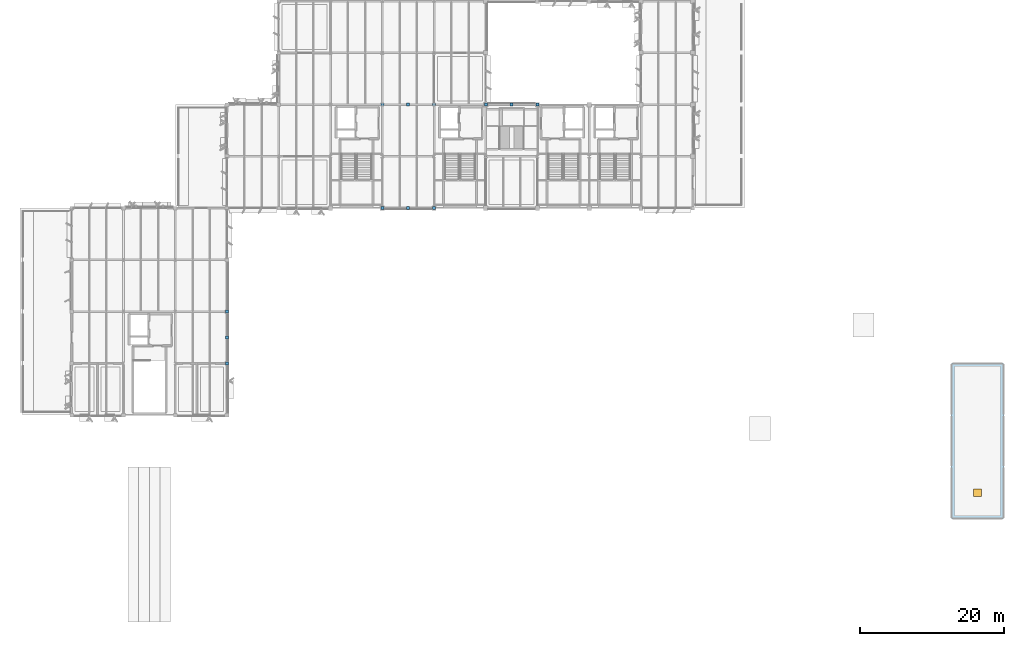
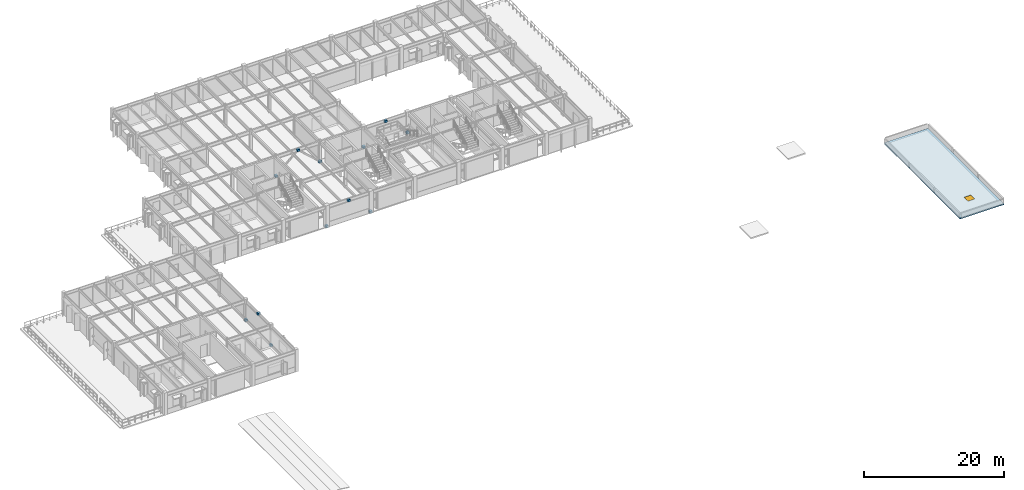
# One storey, part 11 of 35: 12 plates, 1 door, 1 slab, 1 opening.
"""IFC4 building model written with IfcOpenShell, lengths in metres."""

from ifc_helpers import new_model, si_unit, direction, frame, origin, origin_2d, place, context, subcontext, project, spatial, polyline, rectangle, outline, extrude, material, layer, layer_set, type_object, element, fill, save


model = new_model("IFC4")

# Units and contexts
model_context = context("Model", 3, precision=1e-05, world=origin(), true_north=direction((0.0, 1.0)))
body_context = subcontext(model_context, "Body", "Model", "MODEL_VIEW")
ifc_project = project(units=[si_unit("LENGTHUNIT", "METRE"), si_unit("AREAUNIT", "SQUARE_METRE"), si_unit("VOLUMEUNIT", "CUBIC_METRE"), si_unit("PLANEANGLEUNIT", "RADIAN"), si_unit("MASSUNIT", "GRAM", prefix="KILO")], contexts=[model_context])

# Site, building, storey
site_placement = place(None, origin())
site = spatial("IfcSite", under=ifc_project, at=site_placement, CompositionType="ELEMENT")
building_placement = place(site_placement, origin())
building = spatial("IfcBuilding", under=site, at=building_placement, Name="Sillqori Civic Hall", CompositionType="ELEMENT")
storey_placement = place(building_placement, frame((0.0, 0.0, 18.0)))
storey = spatial("IfcBuildingStorey", under=building, at=storey_placement, Name="L05", CompositionType="ELEMENT", Elevation=18.0)

# Plates
ifc_material_1 = material(Name="Steel ASTM A36", Category="steel")
plate_type = type_object("IfcPlateType", Name="PLT-GUSSET-20", PredefinedType="SHEET", material=ifc_material_1)
for number, where, z_axis, x_axis, name in (
    (1, (61.199951171875, 79.199951171875, 3.2197265625), (0.0, 0.0, 1.0), (1.0, 0.0, 0.0), "L05 chevron brace node plate APX"),
    (2, (57.60009765625, 79.199951171875, -0.0302734375), (0.0, 0.0, 1.0), (1.0, 0.0, 0.0), "L05 chevron brace node plate BSL"),
    (3, (64.800048828125, 79.199951171875, -0.0302734375), (0.0, 0.0, 1.0), (1.0, 0.0, 0.0), "L05 chevron brace node plate BSR"),
    (4, (61.199951171875, 93.60009765625, 3.2197265625), (0.0, 0.0, 1.0), (1.0, 0.0, 0.0), "L05 chevron brace node plate APX"),
    (5, (57.60009765625, 93.60009765625, -0.0302734375), (0.0, 0.0, 1.0), (1.0, 0.0, 0.0), "L05 chevron brace node plate BSL"),
    (6, (64.800048828125, 93.60009765625, -0.0302734375), (0.0, 0.0, 1.0), (1.0, 0.0, 0.0), "L05 chevron brace node plate BSR"),
    (7, (75.60009765625, 93.60009765625, 3.2197265625), (0.0, 0.0, 1.0), (1.0, 0.0, 0.0), "L05 chevron brace node plate APX"),
    (8, (72.0, 93.60009765625, -0.0302734375), (0.0, 0.0, 1.0), (1.0, 0.0, 0.0), "L05 chevron brace node plate BSL"),
    (9, (79.199951171875, 93.60009765625, -0.0302734375), (0.0, 0.0, 1.0), (1.0, 0.0, 0.0), "L05 chevron brace node plate BSR"),
    (10, (36.0, 61.199951171875, 3.2197265625), (0.0, 0.0, 1.0), (1.0, 0.0, 0.0), "L05 chevron brace node plate APX"),
    (11, (36.0, 57.60009765625, -0.0302734375), (0.0, 0.0, 1.0), (1.0, 0.0, 0.0), "L05 chevron brace node plate BSL"),
    (12, (36.0, 64.800048828125, -0.0302734375), (0.0, 0.0, 1.0), (1.0, 0.0, 0.0), "L05 chevron brace node plate BSR"),
):
    element("IfcPlate", number, at=place(storey_placement, frame(where, z_axis=z_axis, x_axis=x_axis)), inside=storey, type_object=plate_type, Name=name, PredefinedType="SHEET", context=body_context, shape_type="SweptSolid", body=[
        extrude(rectangle(XDim=0.419921875, YDim=0.419921875, at=origin_2d()), origin(), (0.0, 0.0, 1.0), 0.360107421875),
    ])

# Slab, opening, door
ifc_material_2 = material(Name="Concrete C30/37 (H30)", Category="concrete")
ifc_layer = layer(ifc_material_2, 0.199951171875)
ifc_layer_set = layer_set([ifc_layer], Name="Concrete C30/37 (H30)")
slab_type = type_object("IfcSlabType", Name="SLB-ROOF-200", PredefinedType="ROOF", material=ifc_layer_set)
slab_placement = place(storey_placement, frame((0.0, 0.0, -0.199951171875)))
slab = element("IfcSlab", 13, at=slab_placement, inside=storey, type_object=slab_type, Name="L05 flat structural roof over L04 1", PredefinedType="ROOF", context=body_context, shape_type="SweptSolid", body=[
    extrude(outline(polyline([(144.0, 36.0), (136.800048828125, 36.0), (136.800048828125, 43.199951171875), (136.800048828125, 50.39990234375), (136.800048828125, 57.60009765625), (144.0, 57.60009765625), (144.0, 50.39990234375), (144.0, 43.199951171875), (144.0, 36.0)]), holes=[polyline([(139.85009765625, 39.050048828125), (139.85009765625, 40.14990234375), (140.949951171875, 40.14990234375), (140.949951171875, 39.050048828125), (139.85009765625, 39.050048828125)])]), origin(), (0.0, 0.0, 1.0), 0.199951171875),
])
opening_placement = place(slab_placement, frame((140.39990234375, 39.60009765625, 0.0)))
opening = element("IfcOpeningElement", 14, at=opening_placement, cuts=slab, Name="Opening TH-01", PredefinedType="OPENING", context=body_context, shape_type="SweptSolid", body=[
    extrude(rectangle(XDim=1.10009765625, YDim=1.10009765625, at=origin_2d()), frame((0.0, 0.0, -0.010009765625)), (0.0, 0.0, 1.0), 0.219970703125),
])
ifc_material_3 = material(Name="Galvanized Insulated Steel", Category="steel")
door_type = type_object("IfcDoorType", Name="TRP-ROOF-110X110", OperationType="NOTDEFINED", PredefinedType="TRAPDOOR", material=ifc_material_3)
door_placement = place(opening_placement, frame((0.0, 0.0, 0.14990234375)))
door = element("IfcDoor", 15, at=door_placement, inside=storey, type_object=door_type, Name="L05 maintenance roof access hatch 15", OperationType="SINGLE_SWING_LEFT", OverallHeight=1.10009765625, OverallWidth=1.10009765625, PredefinedType="TRAPDOOR", context=body_context, shape_type="SweptSolid", body=[
    extrude(rectangle(XDim=1.10009765625, YDim=1.10009765625, at=origin_2d()), origin(), (0.0, 0.0, 1.0), 0.050048828125),
])
fill(opening, door)

save(model, "model.ifc")
